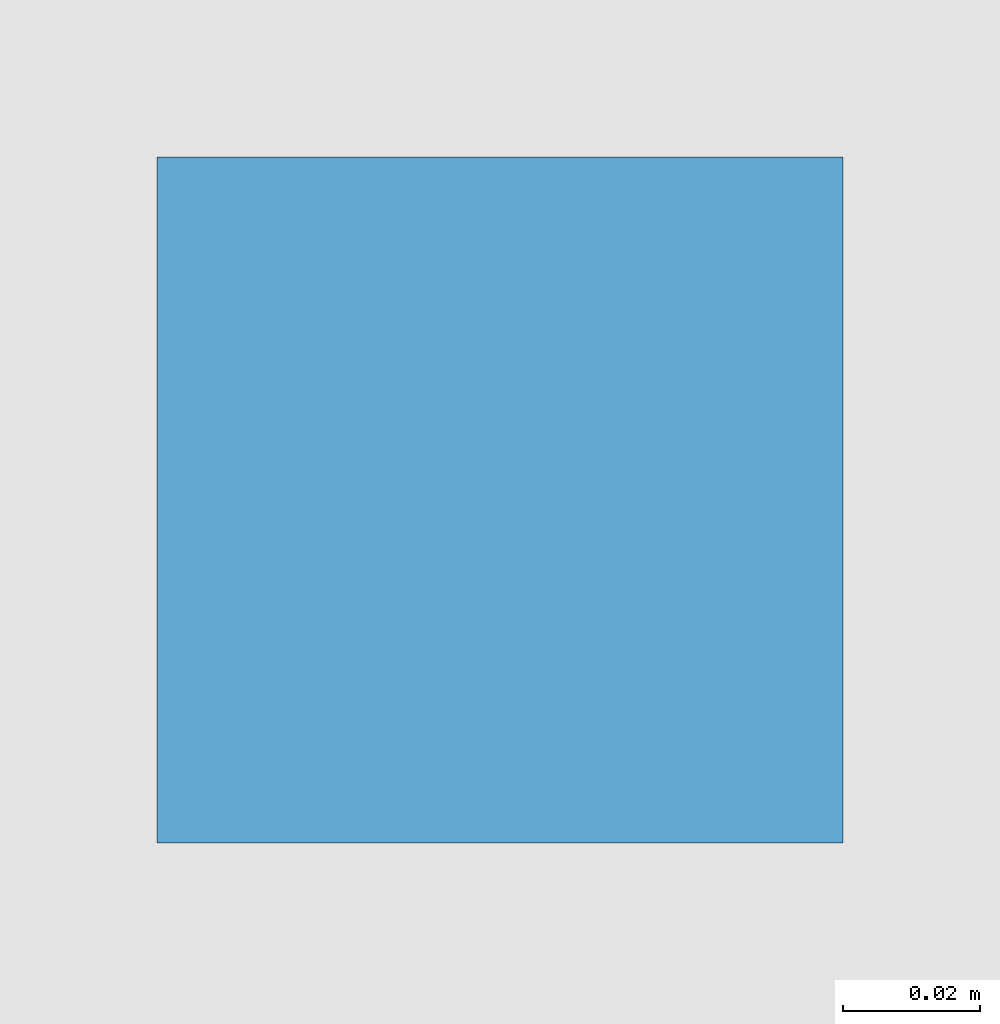
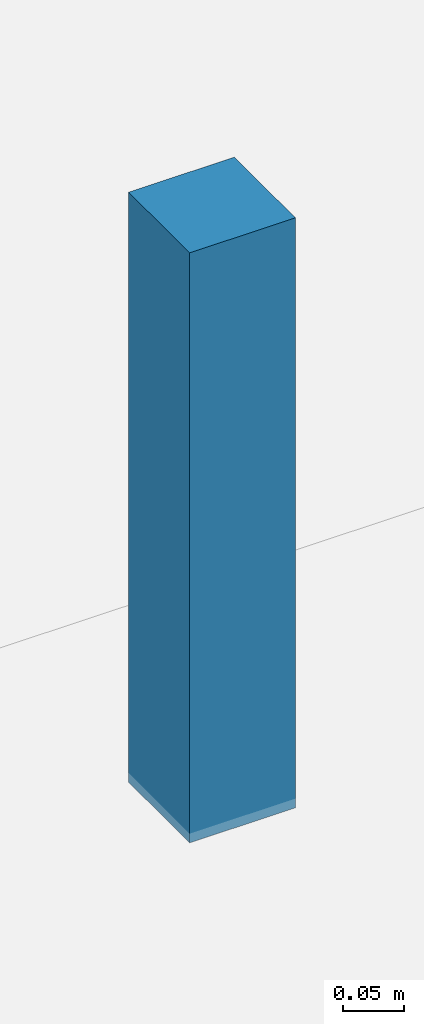
# One storey, part 53 of 104: 1 discrete accessory.
"""IFC4 building model written with IfcOpenShell, lengths in metres."""

from ifc_helpers import new_model, si_unit, direction, frame, origin, origin_2d, place, context, subcontext, project, spatial, rectangle, extrude, material, type_object, element, save


model = new_model("IFC4")

# Units and contexts
model_context = context("Model", 3, precision=1e-05, world=origin(), true_north=direction((0.0, 1.0)))
body_context = subcontext(model_context, "Body", "Model", "MODEL_VIEW")
ifc_project = project(units=[si_unit("LENGTHUNIT", "METRE"), si_unit("AREAUNIT", "SQUARE_METRE"), si_unit("VOLUMEUNIT", "CUBIC_METRE"), si_unit("PLANEANGLEUNIT", "RADIAN"), si_unit("MASSUNIT", "GRAM", prefix="KILO")], contexts=[model_context])

# Site, building, storey
site_placement = place(None, origin())
site = spatial("IfcSite", under=ifc_project, at=site_placement, CompositionType="ELEMENT")
building_placement = place(site_placement, origin())
building = spatial("IfcBuilding", under=site, at=building_placement, Name="Tazoul Stagehouse", CompositionType="ELEMENT")
storey_placement = place(building_placement, frame((0.0, 0.0, 9.0)))
storey = spatial("IfcBuildingStorey", under=building, at=storey_placement, Name="L02", CompositionType="ELEMENT", Elevation=9.0)

# Discrete accessory
ifc_material = material(Name="Austenitic Stainless Steel EN 1.4401", Category="steel")
discrete_accessory_type = type_object("IfcDiscreteAccessoryType", Name="Interior Acoustic Hanger Bracket", PredefinedType="BRACKET", material=ifc_material)
discrete_accessory_placement = place(storey_placement, frame((76.5, 58.89990234375, 3.39013671875), z_axis=(0.0, 0.0, 1.0), x_axis=(1.0, 0.0, 0.0)))
element("IfcDiscreteAccessory", 1, at=discrete_accessory_placement, inside=storey, type_object=discrete_accessory_type, Name="L02 Upper Circle Seating Gallery Ceiling Suspension Bracket", PredefinedType="BRACKET", context=body_context, shape_type="SweptSolid", body=[
    extrude(rectangle(XDim=0.10009765625, YDim=0.10009765625, at=origin_2d()), origin(), (0.0, 0.0, 1.0), 0.590087890625),
])

save(model, "model.ifc")
